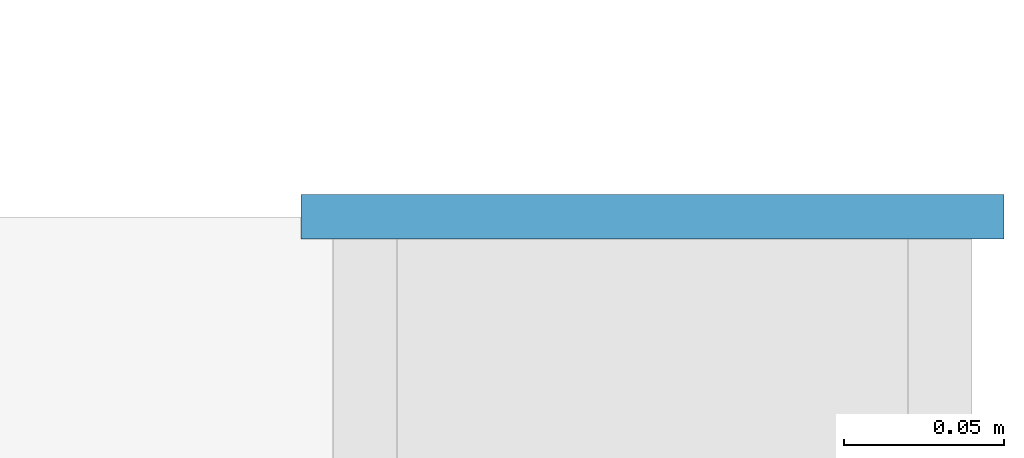
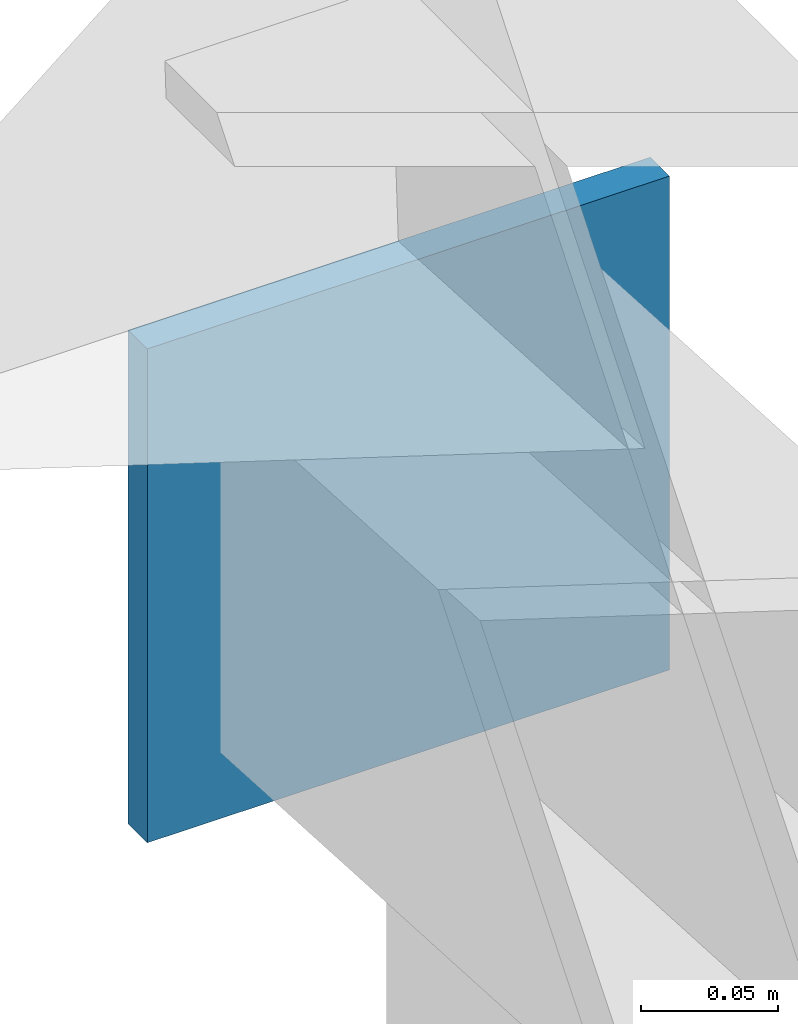
# One storey, part 11 of 13: 1 plate.
"""IFC4 building model written with IfcOpenShell, lengths in metres."""

from ifc_helpers import new_model, si_unit, direction, frame, origin, origin_2d, place, context, subcontext, project, spatial, rectangle, extrude, material, layer, layer_set, type_object, element, save


model = new_model("IFC4")

# Units and contexts
model_context = context("Model", 3, precision=1e-05, world=origin(), true_north=direction((0.0, 1.0)))
body_context = subcontext(model_context, "Body", "Model", "MODEL_VIEW")
ifc_project = project(units=[si_unit("LENGTHUNIT", "METRE"), si_unit("AREAUNIT", "SQUARE_METRE"), si_unit("VOLUMEUNIT", "CUBIC_METRE"), si_unit("PLANEANGLEUNIT", "RADIAN"), si_unit("MASSUNIT", "GRAM", prefix="KILO")], contexts=[model_context])

# Site, building, storey
site_placement = place(None, origin())
site = spatial("IfcSite", under=ifc_project, at=site_placement, CompositionType="ELEMENT")
building_placement = place(site_placement, origin())
building = spatial("IfcBuilding", under=site, at=building_placement, Name="Celorna Specialist Clinic", CompositionType="ELEMENT")
storey_placement = place(building_placement, frame((0.0, 0.0, 27.300048828125)))
storey = spatial("IfcBuildingStorey", under=building, at=storey_placement, Name="RF", CompositionType="ELEMENT", Elevation=27.300048828125)

# Plate
ifc_material = material(Name="Steel S355", Category="steel")
ifc_layer = layer(ifc_material, 0.01611328125, Name="Steel S355")
ifc_layer_set = layer_set([ifc_layer], Name="Steel S355")
plate_type = type_object("IfcPlateType", Name="EP-04", PredefinedType="SHEET", material=ifc_layer_set)
plate_placement = place(storey_placement, frame((93.60009765625, 116.0, -0.39208984375), z_axis=(0.0, 0.0, 1.0), x_axis=(1.0, 0.0, 0.0)))
element("IfcPlate", 1, at=plate_placement, inside=storey, type_object=plate_type, Name="Rafter chord cap plate ROOF-V4-NORTH", PredefinedType="SHEET", context=body_context, shape_type="SweptSolid", body=[
    extrude(rectangle(XDim=0.219970703125, YDim=0.013916015625, at=origin_2d()), origin(), (0.0, 0.0, 1.0), 0.219970703125),
])

save(model, "model.ifc")
